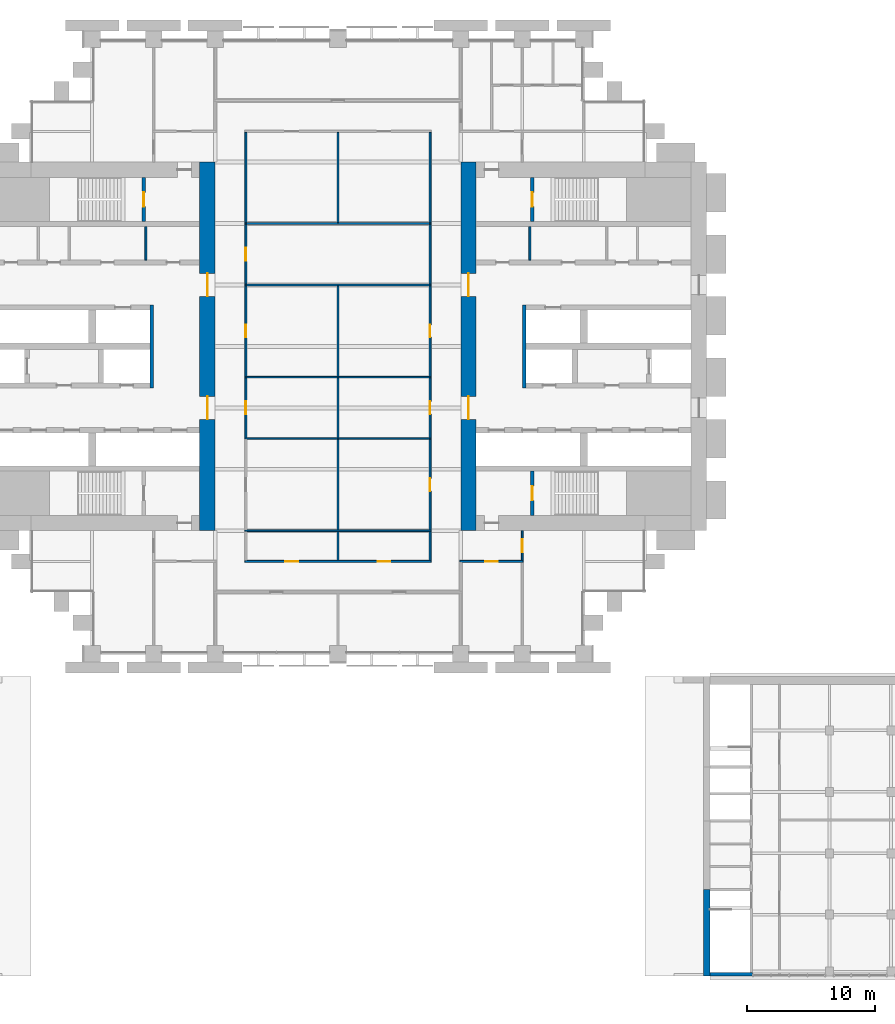
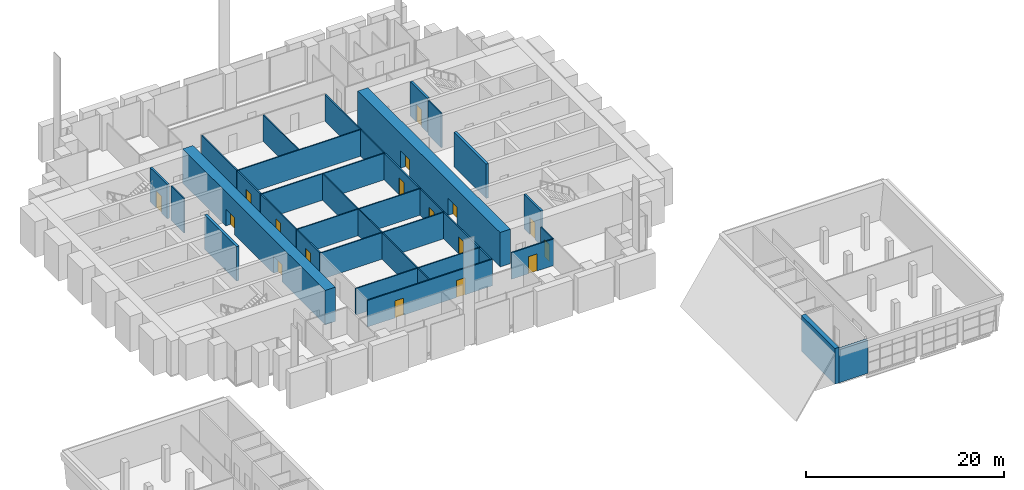
# One storey, part 18 of 22: 34 walls, 17 doors, 17 openings.
"""IFC4 building model written with IfcOpenShell, lengths in metres."""

from ifc_helpers import new_model, si_unit, direction, frame, frame_2d, origin, place, context, subcontext, project, spatial, rectangle, extrude, material, layer, layer_set, type_object, element, fill, save


model = new_model("IFC4")

# Units and contexts
model_context = context("Model", 3, precision=1e-05, world=origin(), true_north=direction((0.0, 1.0)))
body_context = subcontext(model_context, "Body", "Model", "MODEL_VIEW")
ifc_project = project(units=[si_unit("LENGTHUNIT", "METRE"), si_unit("AREAUNIT", "SQUARE_METRE"), si_unit("VOLUMEUNIT", "CUBIC_METRE"), si_unit("PLANEANGLEUNIT", "RADIAN"), si_unit("MASSUNIT", "GRAM", prefix="KILO")], contexts=[model_context])

# Site, building, storey
site_placement = place(None, origin())
site = spatial("IfcSite", under=ifc_project, at=site_placement, CompositionType="ELEMENT")
building_placement = place(site_placement, origin())
building = spatial("IfcBuilding", under=site, at=building_placement, Name="Baori Bourse Tower", CompositionType="ELEMENT")
storey_placement = place(building_placement, frame((0.0, 0.0, 25.800048828125)))
storey = spatial("IfcBuildingStorey", under=building, at=storey_placement, Name="L04", CompositionType="ELEMENT", Elevation=25.800048828125)

# Walls
ifc_material_1 = material(Name="Blockwork partition", Category="masonry")
ifc_layer_1 = layer(ifc_material_1, 0.14990234375)
ifc_layer_set_1 = layer_set([ifc_layer_1], Name="Core partition 150")
wall_type_1 = type_object("IfcWallType", Name="Core partition 150", PredefinedType="PARTITIONING", material=ifc_layer_set_1)
for number, where, z_axis, x_axis, name in (
    (1, (13.800048828125, 30.75, 0.0), (0.0, 0.0, 1.0), (0.0, 1.0, 0.0), "Partition wall W20"),
    (2, (43.800048828125, 30.75, 0.0), (0.0, 0.0, 1.0), (0.0, 1.0, 0.0), "Partition wall E20"),
):
    element("IfcWall", number, at=place(storey_placement, frame(where, z_axis=z_axis, x_axis=x_axis)), inside=storey, type_object=wall_type_1, Name=name, PredefinedType="PARTITIONING", context=body_context, shape_type="SweptSolid", body=[
        extrude(rectangle(XDim=2.60009765625, YDim=0.14990234375, at=frame_2d((1.300048828125, 0.0))), origin(), (0.0, 0.0, 1.0), 4.239990234375),
    ])

# Wall, openings, doors
ifc_material_2 = material(Name="Concrete f'c 70 MPa", Category="concrete")
ifc_layer_2 = layer(ifc_material_2, 1.199951171875)
ifc_layer_set_2 = layer_set([ifc_layer_2], Name="Core wall 1200 f'c 70")
wall_type_2 = type_object("IfcWallType", Name="Core wall 1200 f'c 70", PredefinedType="SHEAR", material=ifc_layer_set_2)
wall_1_placement = place(storey_placement, frame((18.60009765625, 38.39990234375, 0.0), z_axis=(0.0, 0.0, 1.0), x_axis=(0.0, -1.0, 0.0)))
wall_1 = element("IfcWall", 3, at=wall_1_placement, inside=storey, type_object=wall_type_2, Name="Core wall W04", PredefinedType="SHEAR", context=body_context, shape_type="SweptSolid", body=[
    extrude(rectangle(XDim=28.7998046875, YDim=1.199951171875, at=frame_2d((14.39990234375, 0.0))), origin(), (0.0, 0.0, 1.0), 4.239990234375),
])
opening_1_placement = place(wall_1_placement, frame((18.300048828125, 0.0, 0.0)))
opening_1 = element("IfcOpeningElement", 4, at=opening_1_placement, cuts=wall_1, Name="Opening L04-D107", PredefinedType="OPENING", context=body_context, shape_type="SweptSolid", body=[
    extrude(rectangle(XDim=1.800048828125, YDim=2.10009765625, at=frame_2d((0.89990234375, 1.050048828125))), frame((0.0, 0.60986328125, 0.0), z_axis=(0.0, -1.0, 0.0), x_axis=(1.0, 0.0, 0.0)), (0.0, 0.0, 1.0), 1.219970703125),
])
opening_2_placement = place(wall_1_placement, frame((8.699951171875, 0.0, 0.0)))
opening_2 = element("IfcOpeningElement", 5, at=opening_2_placement, cuts=wall_1, Name="Opening L04-D108", PredefinedType="OPENING", context=body_context, shape_type="SweptSolid", body=[
    extrude(rectangle(XDim=1.800048828125, YDim=2.10009765625, at=frame_2d((0.89990234375, 1.050048828125))), frame((0.0, 0.60986328125, 0.0), z_axis=(0.0, -1.0, 0.0), x_axis=(1.0, 0.0, 0.0)), (0.0, 0.0, 1.0), 1.219970703125),
])
ifc_material_3 = material(Name="Painted steel door", Category="steel")
door_type_1 = type_object("IfcDoorType", Name="Core lobby door 1800", OperationType="DOUBLE_DOOR_SINGLE_SWING", PredefinedType="DOOR", material=ifc_material_3)
door_1_placement = place(opening_1_placement, origin())
door_1 = element("IfcDoor", 6, at=door_1_placement, inside=storey, type_object=door_type_1, Name="Lobby door W L04", OperationType="DOUBLE_DOOR_SINGLE_SWING", OverallHeight=2.10009765625, OverallWidth=1.800048828125, PredefinedType="DOOR", context=body_context, shape_type="SweptSolid", body=[
    extrude(rectangle(XDim=1.800048828125, YDim=2.10009765625, at=frame_2d((0.89990234375, 1.050048828125))), frame((0.0, 0.02490234375, 0.0), z_axis=(0.0, -1.0, 0.0), x_axis=(1.0, 0.0, 0.0)), (0.0, 0.0, 1.0), 0.050048828125),
])
fill(opening_1, door_1)
door_2_placement = place(opening_2_placement, origin())
door_2 = element("IfcDoor", 7, at=door_2_placement, inside=storey, type_object=door_type_1, Name="Lobby door W L04", OperationType="DOUBLE_DOOR_SINGLE_SWING", OverallHeight=2.10009765625, OverallWidth=1.800048828125, PredefinedType="DOOR", context=body_context, shape_type="SweptSolid", body=[
    extrude(rectangle(XDim=1.800048828125, YDim=2.10009765625, at=frame_2d((0.89990234375, 1.050048828125))), frame((0.0, 0.02490234375, 0.0), z_axis=(0.0, -1.0, 0.0), x_axis=(1.0, 0.0, 0.0)), (0.0, 0.0, 1.0), 0.050048828125),
])
fill(opening_2, door_2)

wall_2_placement = place(storey_placement, frame((39.0, 9.60009765625, 0.0), z_axis=(0.0, 0.0, 1.0), x_axis=(0.0, 1.0, 0.0)))
wall_2 = element("IfcWall", 8, at=wall_2_placement, inside=storey, type_object=wall_type_2, Name="Core wall E04", PredefinedType="SHEAR", context=body_context, shape_type="SweptSolid", body=[
    extrude(rectangle(XDim=28.7998046875, YDim=1.199951171875, at=frame_2d((14.39990234375, 0.0))), origin(), (0.0, 0.0, 1.0), 4.239990234375),
])
opening_3_placement = place(wall_2_placement, frame((8.699951171875, 0.0, 0.0)))
opening_3 = element("IfcOpeningElement", 9, at=opening_3_placement, cuts=wall_2, Name="Opening L04-D207", PredefinedType="OPENING", context=body_context, shape_type="SweptSolid", body=[
    extrude(rectangle(XDim=1.800048828125, YDim=2.10009765625, at=frame_2d((0.89990234375, 1.050048828125))), frame((0.0, 0.60986328125, 0.0), z_axis=(0.0, -1.0, 0.0), x_axis=(1.0, 0.0, 0.0)), (0.0, 0.0, 1.0), 1.219970703125),
])
opening_4_placement = place(wall_2_placement, frame((18.300048828125, 0.0, 0.0)))
opening_4 = element("IfcOpeningElement", 10, at=opening_4_placement, cuts=wall_2, Name="Opening L04-D208", PredefinedType="OPENING", context=body_context, shape_type="SweptSolid", body=[
    extrude(rectangle(XDim=1.800048828125, YDim=2.10009765625, at=frame_2d((0.89990234375, 1.050048828125))), frame((0.0, 0.60986328125, 0.0), z_axis=(0.0, -1.0, 0.0), x_axis=(1.0, 0.0, 0.0)), (0.0, 0.0, 1.0), 1.219970703125),
])
door_3_placement = place(opening_3_placement, origin())
door_3 = element("IfcDoor", 11, at=door_3_placement, inside=storey, type_object=door_type_1, Name="Lobby door E L04", OperationType="DOUBLE_DOOR_SINGLE_SWING", OverallHeight=2.10009765625, OverallWidth=1.800048828125, PredefinedType="DOOR", context=body_context, shape_type="SweptSolid", body=[
    extrude(rectangle(XDim=1.800048828125, YDim=2.10009765625, at=frame_2d((0.89990234375, 1.050048828125))), frame((0.0, 0.02490234375, 0.0), z_axis=(0.0, -1.0, 0.0), x_axis=(1.0, 0.0, 0.0)), (0.0, 0.0, 1.0), 0.050048828125),
])
fill(opening_3, door_3)
door_4_placement = place(opening_4_placement, origin())
door_4 = element("IfcDoor", 12, at=door_4_placement, inside=storey, type_object=door_type_1, Name="Lobby door E L04", OperationType="DOUBLE_DOOR_SINGLE_SWING", OverallHeight=2.10009765625, OverallWidth=1.800048828125, PredefinedType="DOOR", context=body_context, shape_type="SweptSolid", body=[
    extrude(rectangle(XDim=1.800048828125, YDim=2.10009765625, at=frame_2d((0.89990234375, 1.050048828125))), frame((0.0, 0.02490234375, 0.0), z_axis=(0.0, -1.0, 0.0), x_axis=(1.0, 0.0, 0.0)), (0.0, 0.0, 1.0), 0.050048828125),
])
fill(opening_4, door_4)

ifc_material_4 = material(Name="Gypsum board partition")
ifc_layer_3 = layer(ifc_material_4, 0.14990234375)
ifc_layer_set_3 = layer_set([ifc_layer_3], Name="Corridor partition 150")
wall_type_3 = type_object("IfcWallType", Name="Corridor partition 150", PredefinedType="PARTITIONING", material=ifc_layer_set_3)
wall_3_placement = place(storey_placement, frame((21.52490234375, 7.199951171875, 0.0), z_axis=(0.0, 0.0, 1.0), x_axis=(1.0, 0.0, 0.0)))
wall_3 = element("IfcWall", 13, at=wall_3_placement, inside=storey, type_object=wall_type_3, Name="Partition", PredefinedType="PARTITIONING", context=body_context, shape_type="SweptSolid", body=[
    extrude(rectangle(XDim=14.550048828125, YDim=0.14990234375, at=frame_2d((7.27490234375, 0.0))), origin(), (0.0, 0.0, 1.0), 3.269775390625),
])
opening_5_placement = place(wall_3_placement, frame((3.175048828125, 0.0, 0.0)))
opening_5 = element("IfcOpeningElement", 14, at=opening_5_placement, cuts=wall_3, Name="Opening L04-D04", PredefinedType="OPENING", context=body_context, shape_type="SweptSolid", body=[
    extrude(rectangle(XDim=1.0, YDim=2.10009765625, at=frame_2d((0.5, 1.050048828125))), frame((0.0, 0.0849609375, 0.0), z_axis=(0.0, -1.0, 0.0), x_axis=(1.0, 0.0, 0.0)), (0.0, 0.0, 1.0), 0.169921875),
])
opening_6_placement = place(wall_3_placement, frame((10.375, 0.0, 0.0)))
opening_6 = element("IfcOpeningElement", 15, at=opening_6_placement, cuts=wall_3, Name="Opening L04-D05", PredefinedType="OPENING", context=body_context, shape_type="SweptSolid", body=[
    extrude(rectangle(XDim=1.0, YDim=2.10009765625, at=frame_2d((0.5, 1.050048828125))), frame((0.0, 0.0849609375, 0.0), z_axis=(0.0, -1.0, 0.0), x_axis=(1.0, 0.0, 0.0)), (0.0, 0.0, 1.0), 0.169921875),
])
ifc_material_5 = material(Name="Timber door leaf", Category="wood")
door_type_2 = type_object("IfcDoorType", Name="Door 1000 x 2100", OperationType="SINGLE_SWING_LEFT", PredefinedType="DOOR", material=ifc_material_5)
door_5_placement = place(opening_5_placement, origin())
door_5 = element("IfcDoor", 16, at=door_5_placement, inside=storey, type_object=door_type_2, Name="Door", OperationType="SINGLE_SWING_RIGHT", OverallHeight=2.10009765625, OverallWidth=1.0, PredefinedType="DOOR", context=body_context, shape_type="SweptSolid", body=[
    extrude(rectangle(XDim=1.0, YDim=2.10009765625, at=frame_2d((0.5, 1.050048828125))), frame((0.0, 0.02490234375, 0.0), z_axis=(0.0, -1.0, 0.0), x_axis=(1.0, 0.0, 0.0)), (0.0, 0.0, 1.0), 0.050048828125),
])
fill(opening_5, door_5)
door_6_placement = place(opening_6_placement, origin())
door_6 = element("IfcDoor", 17, at=door_6_placement, inside=storey, type_object=door_type_2, Name="Door", OperationType="SINGLE_SWING_LEFT", OverallHeight=2.10009765625, OverallWidth=1.0, PredefinedType="DOOR", context=body_context, shape_type="SweptSolid", body=[
    extrude(rectangle(XDim=1.0, YDim=2.10009765625, at=frame_2d((0.5, 1.050048828125))), frame((0.0, 0.02490234375, 0.0), z_axis=(0.0, -1.0, 0.0), x_axis=(1.0, 0.0, 0.0)), (0.0, 0.0, 1.0), 0.050048828125),
])
fill(opening_6, door_6)

# Wall, opening, door
wall_4_placement = place(storey_placement, frame((38.324951171875, 7.199951171875, 0.0), z_axis=(0.0, 0.0, 1.0), x_axis=(1.0, 0.0, 0.0)))
wall_4 = element("IfcWall", 18, at=wall_4_placement, inside=storey, type_object=wall_type_3, Name="Partition", PredefinedType="PARTITIONING", context=body_context, shape_type="SweptSolid", body=[
    extrude(rectangle(XDim=4.949951171875, YDim=0.14990234375, at=frame_2d((2.47509765625, 0.0))), origin(), (0.0, 0.0, 1.0), 3.269775390625),
])
opening_7_placement = place(wall_4_placement, frame((1.97509765625, 0.0, 0.0)))
opening_7 = element("IfcOpeningElement", 19, at=opening_7_placement, cuts=wall_4, Name="Opening L04-D06", PredefinedType="OPENING", context=body_context, shape_type="SweptSolid", body=[
    extrude(rectangle(XDim=1.0, YDim=2.10009765625, at=frame_2d((0.5, 1.050048828125))), frame((0.0, 0.0849609375, 0.0), z_axis=(0.0, -1.0, 0.0), x_axis=(1.0, 0.0, 0.0)), (0.0, 0.0, 1.0), 0.169921875),
])
door_7_placement = place(opening_7_placement, origin())
door_7 = element("IfcDoor", 20, at=door_7_placement, inside=storey, type_object=door_type_2, Name="Door", OperationType="SINGLE_SWING_LEFT", OverallHeight=2.10009765625, OverallWidth=1.0, PredefinedType="DOOR", context=body_context, shape_type="SweptSolid", body=[
    extrude(rectangle(XDim=1.0, YDim=2.10009765625, at=frame_2d((0.5, 1.050048828125))), frame((0.0, 0.02490234375, 0.0), z_axis=(0.0, -1.0, 0.0), x_axis=(1.0, 0.0, 0.0)), (0.0, 0.0, 1.0), 0.050048828125),
])
fill(opening_7, door_7)

wall_5_placement = place(storey_placement, frame((21.60009765625, 16.862548828125, 0.0), z_axis=(0.0, 0.0, 1.0), x_axis=(0.0, 1.0, 0.0)))
wall_5 = element("IfcWall", 21, at=wall_5_placement, inside=storey, type_object=wall_type_3, Name="Partition", PredefinedType="PARTITIONING", context=body_context, shape_type="SweptSolid", body=[
    extrude(rectangle(XDim=4.675048828125, YDim=0.14990234375, at=frame_2d((2.33740234375, 0.0))), origin(), (0.0, 0.0, 1.0), 3.269775390625),
])
opening_8_placement = place(wall_5_placement, frame((1.83740234375, 0.0, 0.0)))
opening_8 = element("IfcOpeningElement", 22, at=opening_8_placement, cuts=wall_5, Name="Opening L04-D18", PredefinedType="OPENING", context=body_context, shape_type="SweptSolid", body=[
    extrude(rectangle(XDim=1.0, YDim=2.10009765625, at=frame_2d((0.5, 1.050048828125))), frame((0.0, 0.0849609375, 0.0), z_axis=(0.0, -1.0, 0.0), x_axis=(1.0, 0.0, 0.0)), (0.0, 0.0, 1.0), 0.169921875),
])
door_8_placement = place(opening_8_placement, origin())
door_8 = element("IfcDoor", 23, at=door_8_placement, inside=storey, type_object=door_type_2, Name="Door", OperationType="SINGLE_SWING_LEFT", OverallHeight=2.10009765625, OverallWidth=1.0, PredefinedType="DOOR", context=body_context, shape_type="SweptSolid", body=[
    extrude(rectangle(XDim=1.0, YDim=2.10009765625, at=frame_2d((0.5, 1.050048828125))), frame((0.0, 0.02490234375, 0.0), z_axis=(0.0, -1.0, 0.0), x_axis=(1.0, 0.0, 0.0)), (0.0, 0.0, 1.0), 0.050048828125),
])
fill(opening_8, door_8)

wall_6_placement = place(storey_placement, frame((21.60009765625, 21.66259765625, 0.0), z_axis=(0.0, 0.0, 1.0), x_axis=(0.0, 1.0, 0.0)))
wall_6 = element("IfcWall", 24, at=wall_6_placement, inside=storey, type_object=wall_type_3, Name="Partition", PredefinedType="PARTITIONING", context=body_context, shape_type="SweptSolid", body=[
    extrude(rectangle(XDim=7.074951171875, YDim=0.14990234375, at=frame_2d((3.53759765625, 0.0))), origin(), (0.0, 0.0, 1.0), 3.269775390625),
])
opening_9_placement = place(wall_6_placement, frame((3.03759765625, 0.0, 0.0)))
opening_9 = element("IfcOpeningElement", 25, at=opening_9_placement, cuts=wall_6, Name="Opening L04-D19", PredefinedType="OPENING", context=body_context, shape_type="SweptSolid", body=[
    extrude(rectangle(XDim=1.0, YDim=2.10009765625, at=frame_2d((0.5, 1.050048828125))), frame((0.0, 0.0849609375, 0.0), z_axis=(0.0, -1.0, 0.0), x_axis=(1.0, 0.0, 0.0)), (0.0, 0.0, 1.0), 0.169921875),
])
door_9_placement = place(opening_9_placement, origin())
door_9 = element("IfcDoor", 26, at=door_9_placement, inside=storey, type_object=door_type_2, Name="Door", OperationType="SINGLE_SWING_LEFT", OverallHeight=2.10009765625, OverallWidth=1.0, PredefinedType="DOOR", context=body_context, shape_type="SweptSolid", body=[
    extrude(rectangle(XDim=1.0, YDim=2.10009765625, at=frame_2d((0.5, 1.050048828125))), frame((0.0, 0.02490234375, 0.0), z_axis=(0.0, -1.0, 0.0), x_axis=(1.0, 0.0, 0.0)), (0.0, 0.0, 1.0), 0.050048828125),
])
fill(opening_9, door_9)

wall_7_placement = place(storey_placement, frame((21.60009765625, 28.862548828125, 0.0), z_axis=(0.0, 0.0, 1.0), x_axis=(0.0, 1.0, 0.0)))
wall_7 = element("IfcWall", 27, at=wall_7_placement, inside=storey, type_object=wall_type_3, Name="Partition", PredefinedType="PARTITIONING", context=body_context, shape_type="SweptSolid", body=[
    extrude(rectangle(XDim=4.675048828125, YDim=0.14990234375, at=frame_2d((2.33740234375, 0.0))), origin(), (0.0, 0.0, 1.0), 3.269775390625),
])
opening_10_placement = place(wall_7_placement, frame((1.83740234375, 0.0, 0.0)))
opening_10 = element("IfcOpeningElement", 28, at=opening_10_placement, cuts=wall_7, Name="Opening L04-D20", PredefinedType="OPENING", context=body_context, shape_type="SweptSolid", body=[
    extrude(rectangle(XDim=1.0, YDim=2.10009765625, at=frame_2d((0.5, 1.050048828125))), frame((0.0, 0.0849609375, 0.0), z_axis=(0.0, -1.0, 0.0), x_axis=(1.0, 0.0, 0.0)), (0.0, 0.0, 1.0), 0.169921875),
])
door_10_placement = place(opening_10_placement, origin())
door_10 = element("IfcDoor", 29, at=door_10_placement, inside=storey, type_object=door_type_2, Name="Door", OperationType="SINGLE_SWING_LEFT", OverallHeight=2.10009765625, OverallWidth=1.0, PredefinedType="DOOR", context=body_context, shape_type="SweptSolid", body=[
    extrude(rectangle(XDim=1.0, YDim=2.10009765625, at=frame_2d((0.5, 1.050048828125))), frame((0.0, 0.02490234375, 0.0), z_axis=(0.0, -1.0, 0.0), x_axis=(1.0, 0.0, 0.0)), (0.0, 0.0, 1.0), 0.050048828125),
])
fill(opening_10, door_10)

# Walls
wall_8_placement = place(storey_placement, frame((21.60009765625, 33.66259765625, 0.0), z_axis=(0.0, 0.0, 1.0), x_axis=(0.0, 1.0, 0.0)))
element("IfcWall", 30, at=wall_8_placement, inside=storey, type_object=wall_type_3, Name="Partition", PredefinedType="PARTITIONING", context=body_context, shape_type="SweptSolid", body=[
    extrude(rectangle(XDim=7.0625, YDim=0.14990234375, at=frame_2d((3.53125, 0.0))), origin(), (0.0, 0.0, 1.0), 3.269775390625),
])
wall_9_placement = place(storey_placement, frame((36.0, 7.27490234375, 0.0), z_axis=(0.0, 0.0, 1.0), x_axis=(0.0, 1.0, 0.0)))
element("IfcWall", 31, at=wall_9_placement, inside=storey, type_object=wall_type_3, Name="Partition", PredefinedType="PARTITIONING", context=body_context, shape_type="SweptSolid", body=[
    extrude(rectangle(XDim=2.2626953125, YDim=0.14990234375, at=frame_2d((1.13134765625, 0.0))), origin(), (0.0, 0.0, 1.0), 3.269775390625),
])

# Wall, opening, door
wall_10_placement = place(storey_placement, frame((36.0, 9.66259765625, 0.0), z_axis=(0.0, 0.0, 1.0), x_axis=(0.0, 1.0, 0.0)))
wall_10 = element("IfcWall", 32, at=wall_10_placement, inside=storey, type_object=wall_type_3, Name="Partition", PredefinedType="PARTITIONING", context=body_context, shape_type="SweptSolid", body=[
    extrude(rectangle(XDim=7.074951171875, YDim=0.14990234375, at=frame_2d((3.53759765625, 0.0))), origin(), (0.0, 0.0, 1.0), 3.269775390625),
])
opening_11_placement = place(wall_10_placement, frame((3.03759765625, 0.0, 0.0)))
opening_11 = element("IfcOpeningElement", 33, at=opening_11_placement, cuts=wall_10, Name="Opening L04-D21", PredefinedType="OPENING", context=body_context, shape_type="SweptSolid", body=[
    extrude(rectangle(XDim=1.0, YDim=2.10009765625, at=frame_2d((0.5, 1.050048828125))), frame((0.0, 0.0849609375, 0.0), z_axis=(0.0, -1.0, 0.0), x_axis=(1.0, 0.0, 0.0)), (0.0, 0.0, 1.0), 0.169921875),
])
door_11_placement = place(opening_11_placement, origin())
door_11 = element("IfcDoor", 34, at=door_11_placement, inside=storey, type_object=door_type_2, Name="Door", OperationType="SINGLE_SWING_RIGHT", OverallHeight=2.10009765625, OverallWidth=1.0, PredefinedType="DOOR", context=body_context, shape_type="SweptSolid", body=[
    extrude(rectangle(XDim=1.0, YDim=2.10009765625, at=frame_2d((0.5, 1.050048828125))), frame((0.0, 0.02490234375, 0.0), z_axis=(0.0, -1.0, 0.0), x_axis=(1.0, 0.0, 0.0)), (0.0, 0.0, 1.0), 0.050048828125),
])
fill(opening_11, door_11)

wall_11_placement = place(storey_placement, frame((36.0, 16.862548828125, 0.0), z_axis=(0.0, 0.0, 1.0), x_axis=(0.0, 1.0, 0.0)))
wall_11 = element("IfcWall", 35, at=wall_11_placement, inside=storey, type_object=wall_type_3, Name="Partition", PredefinedType="PARTITIONING", context=body_context, shape_type="SweptSolid", body=[
    extrude(rectangle(XDim=4.675048828125, YDim=0.14990234375, at=frame_2d((2.33740234375, 0.0))), origin(), (0.0, 0.0, 1.0), 3.269775390625),
])
opening_12_placement = place(wall_11_placement, frame((1.83740234375, 0.0, 0.0)))
opening_12 = element("IfcOpeningElement", 36, at=opening_12_placement, cuts=wall_11, Name="Opening L04-D22", PredefinedType="OPENING", context=body_context, shape_type="SweptSolid", body=[
    extrude(rectangle(XDim=1.0, YDim=2.10009765625, at=frame_2d((0.5, 1.050048828125))), frame((0.0, 0.0849609375, 0.0), z_axis=(0.0, -1.0, 0.0), x_axis=(1.0, 0.0, 0.0)), (0.0, 0.0, 1.0), 0.169921875),
])
door_12_placement = place(opening_12_placement, origin())
door_12 = element("IfcDoor", 37, at=door_12_placement, inside=storey, type_object=door_type_2, Name="Door", OperationType="SINGLE_SWING_RIGHT", OverallHeight=2.10009765625, OverallWidth=1.0, PredefinedType="DOOR", context=body_context, shape_type="SweptSolid", body=[
    extrude(rectangle(XDim=1.0, YDim=2.10009765625, at=frame_2d((0.5, 1.050048828125))), frame((0.0, 0.02490234375, 0.0), z_axis=(0.0, -1.0, 0.0), x_axis=(1.0, 0.0, 0.0)), (0.0, 0.0, 1.0), 0.050048828125),
])
fill(opening_12, door_12)

wall_12_placement = place(storey_placement, frame((36.0, 21.66259765625, 0.0), z_axis=(0.0, 0.0, 1.0), x_axis=(0.0, 1.0, 0.0)))
wall_12 = element("IfcWall", 38, at=wall_12_placement, inside=storey, type_object=wall_type_3, Name="Partition", PredefinedType="PARTITIONING", context=body_context, shape_type="SweptSolid", body=[
    extrude(rectangle(XDim=7.074951171875, YDim=0.14990234375, at=frame_2d((3.53759765625, 0.0))), origin(), (0.0, 0.0, 1.0), 3.269775390625),
])
opening_13_placement = place(wall_12_placement, frame((3.03759765625, 0.0, 0.0)))
opening_13 = element("IfcOpeningElement", 39, at=opening_13_placement, cuts=wall_12, Name="Opening L04-D23", PredefinedType="OPENING", context=body_context, shape_type="SweptSolid", body=[
    extrude(rectangle(XDim=1.0, YDim=2.10009765625, at=frame_2d((0.5, 1.050048828125))), frame((0.0, 0.0849609375, 0.0), z_axis=(0.0, -1.0, 0.0), x_axis=(1.0, 0.0, 0.0)), (0.0, 0.0, 1.0), 0.169921875),
])
door_13_placement = place(opening_13_placement, origin())
door_13 = element("IfcDoor", 40, at=door_13_placement, inside=storey, type_object=door_type_2, Name="Door", OperationType="SINGLE_SWING_RIGHT", OverallHeight=2.10009765625, OverallWidth=1.0, PredefinedType="DOOR", context=body_context, shape_type="SweptSolid", body=[
    extrude(rectangle(XDim=1.0, YDim=2.10009765625, at=frame_2d((0.5, 1.050048828125))), frame((0.0, 0.02490234375, 0.0), z_axis=(0.0, -1.0, 0.0), x_axis=(1.0, 0.0, 0.0)), (0.0, 0.0, 1.0), 0.050048828125),
])
fill(opening_13, door_13)

# Walls
wall_13_placement = place(storey_placement, frame((36.0, 28.862548828125, 0.0), z_axis=(0.0, 0.0, 1.0), x_axis=(0.0, 1.0, 0.0)))
element("IfcWall", 41, at=wall_13_placement, inside=storey, type_object=wall_type_3, Name="Partition", PredefinedType="PARTITIONING", context=body_context, shape_type="SweptSolid", body=[
    extrude(rectangle(XDim=4.675048828125, YDim=0.14990234375, at=frame_2d((2.33740234375, 0.0))), origin(), (0.0, 0.0, 1.0), 3.269775390625),
])
wall_14_placement = place(storey_placement, frame((36.0, 33.66259765625, 0.0), z_axis=(0.0, 0.0, 1.0), x_axis=(0.0, 1.0, 0.0)))
element("IfcWall", 42, at=wall_14_placement, inside=storey, type_object=wall_type_3, Name="Partition", PredefinedType="PARTITIONING", context=body_context, shape_type="SweptSolid", body=[
    extrude(rectangle(XDim=7.0625, YDim=0.14990234375, at=frame_2d((3.53125, 0.0))), origin(), (0.0, 0.0, 1.0), 3.269775390625),
])

# Wall, opening, door
wall_15_placement = place(storey_placement, frame((43.199951171875, 7.27490234375, 0.0), z_axis=(0.0, 0.0, 1.0), x_axis=(0.0, 1.0, 0.0)))
wall_15 = element("IfcWall", 43, at=wall_15_placement, inside=storey, type_object=wall_type_3, Name="Partition", PredefinedType="PARTITIONING", context=body_context, shape_type="SweptSolid", body=[
    extrude(rectangle(XDim=2.3251953125, YDim=0.14990234375, at=frame_2d((1.16259765625, 0.0))), origin(), (0.0, 0.0, 1.0), 3.269775390625),
])
opening_14_placement = place(wall_15_placement, frame((0.66259765625, 0.0, 0.0)))
opening_14 = element("IfcOpeningElement", 44, at=opening_14_placement, cuts=wall_15, Name="Opening L04-D25", PredefinedType="OPENING", context=body_context, shape_type="SweptSolid", body=[
    extrude(rectangle(XDim=1.0, YDim=2.10009765625, at=frame_2d((0.5, 1.050048828125))), frame((0.0, 0.0849609375, 0.0), z_axis=(0.0, -1.0, 0.0), x_axis=(1.0, 0.0, 0.0)), (0.0, 0.0, 1.0), 0.169921875),
])
door_14_placement = place(opening_14_placement, origin())
door_14 = element("IfcDoor", 45, at=door_14_placement, inside=storey, type_object=door_type_2, Name="Door", OperationType="SINGLE_SWING_LEFT", OverallHeight=2.10009765625, OverallWidth=1.0, PredefinedType="DOOR", context=body_context, shape_type="SweptSolid", body=[
    extrude(rectangle(XDim=1.0, YDim=2.10009765625, at=frame_2d((0.5, 1.050048828125))), frame((0.0, 0.02490234375, 0.0), z_axis=(0.0, -1.0, 0.0), x_axis=(1.0, 0.0, 0.0)), (0.0, 0.0, 1.0), 0.050048828125),
])
fill(opening_14, door_14)

# Walls
ifc_material_6 = material(Name="Concrete f'c 50 MPa", Category="concrete")
ifc_layer_4 = layer(ifc_material_6, 0.300048828125)
ifc_layer_set_4 = layer_set([ifc_layer_4], Name="Entrance wall 300")
wall_type_4 = type_object("IfcWallType", Name="Entrance wall 300", PredefinedType="SOLIDWALL", material=ifc_layer_set_4)
wall_16_placement = place(storey_placement, frame((61.199951171875, -25.050048828125, 0.0), z_axis=(0.0, 0.0, 1.0), x_axis=(-1.0, 0.0, 0.0)))
element("IfcWall", 46, at=wall_16_placement, inside=storey, type_object=wall_type_4, Name="wing/L04/Esouthwall/001", PredefinedType="SOLIDWALL", context=body_context, shape_type="SweptSolid", body=[
    extrude(rectangle(XDim=3.349853515625, YDim=0.300048828125, at=frame_2d((1.6748046875, 0.0))), origin(), (0.0, 0.0, 1.0), 4.1015625),
])
ifc_material_7 = material(Name="Concrete f'c 50 MPa", Category="concrete")
ifc_layer_5 = layer(ifc_material_7, 0.5)
ifc_layer_set_5 = layer_set([ifc_layer_5], Name="Hall end wall 500")
wall_type_5 = type_object("IfcWallType", Name="Hall end wall 500", PredefinedType="SOLIDWALL", material=ifc_layer_set_5)
wall_17_placement = place(storey_placement, frame((57.60009765625, -18.43994140625, 0.0), z_axis=(0.0, 0.0, 1.0), x_axis=(0.0, -1.0, 0.0)))
element("IfcWall", 47, at=wall_17_placement, inside=storey, type_object=wall_type_5, Name="wing/L04/Ehallwall/004", PredefinedType="SOLIDWALL", context=body_context, shape_type="SweptSolid", body=[
    extrude(rectangle(XDim=6.760009765625, YDim=0.5, at=frame_2d((3.3798828125, 0.0))), origin(), (0.0, 0.0, 1.0), 4.39990234375),
])
ifc_material_8 = material(Name="Gypsum board partition")
ifc_layer_6 = layer(ifc_material_8, 0.125)
ifc_layer_set_6 = layer_set([ifc_layer_6], Name="Partition 125")
wall_type_6 = type_object("IfcWallType", Name="Partition 125", PredefinedType="PARTITIONING", material=ifc_layer_set_6)
for number, where, z_axis, x_axis, name in (
    (48, (21.52490234375, 9.60009765625, 0.0), (0.0, 0.0, 1.0), (1.0, 0.0, 0.0), "Partition"),
    (49, (21.52490234375, 16.800048828125, 0.0), (0.0, 0.0, 1.0), (1.0, 0.0, 0.0), "Partition"),
    (50, (21.52490234375, 21.60009765625, 0.0), (0.0, 0.0, 1.0), (1.0, 0.0, 0.0), "Partition"),
    (51, (21.52490234375, 28.800048828125, 0.0), (0.0, 0.0, 1.0), (1.0, 0.0, 0.0), "Partition"),
    (52, (21.52490234375, 33.60009765625, 0.0), (0.0, 0.0, 1.0), (1.0, 0.0, 0.0), "Partition"),
):
    element("IfcWall", number, at=place(storey_placement, frame(where, z_axis=z_axis, x_axis=x_axis)), inside=storey, type_object=wall_type_6, Name=name, PredefinedType="PARTITIONING", context=body_context, shape_type="SweptSolid", body=[
        extrude(rectangle(XDim=14.550048828125, YDim=0.125, at=frame_2d((7.27490234375, 0.0))), origin(), (0.0, 0.0, 1.0), 3.269775390625),
    ])
wall_18_placement = place(storey_placement, frame((28.800048828125, 7.27490234375, 0.0), z_axis=(0.0, 0.0, 1.0), x_axis=(0.0, 1.0, 0.0)))
element("IfcWall", 53, at=wall_18_placement, inside=storey, type_object=wall_type_6, Name="Partition", PredefinedType="PARTITIONING", context=body_context, shape_type="SweptSolid", body=[
    extrude(rectangle(XDim=2.2626953125, YDim=0.125, at=frame_2d((1.13134765625, 0.0))), origin(), (0.0, 0.0, 1.0), 3.269775390625),
])
wall_19_placement = place(storey_placement, frame((28.800048828125, 9.66259765625, 0.0), z_axis=(0.0, 0.0, 1.0), x_axis=(0.0, 1.0, 0.0)))
element("IfcWall", 54, at=wall_19_placement, inside=storey, type_object=wall_type_6, Name="Partition", PredefinedType="PARTITIONING", context=body_context, shape_type="SweptSolid", body=[
    extrude(rectangle(XDim=7.074951171875, YDim=0.125, at=frame_2d((3.53759765625, 0.0))), origin(), (0.0, 0.0, 1.0), 3.269775390625),
])
wall_20_placement = place(storey_placement, frame((28.800048828125, 16.862548828125, 0.0), z_axis=(0.0, 0.0, 1.0), x_axis=(0.0, 1.0, 0.0)))
element("IfcWall", 55, at=wall_20_placement, inside=storey, type_object=wall_type_6, Name="Partition", PredefinedType="PARTITIONING", context=body_context, shape_type="SweptSolid", body=[
    extrude(rectangle(XDim=4.675048828125, YDim=0.125, at=frame_2d((2.33740234375, 0.0))), origin(), (0.0, 0.0, 1.0), 3.269775390625),
])
wall_21_placement = place(storey_placement, frame((28.800048828125, 21.66259765625, 0.0), z_axis=(0.0, 0.0, 1.0), x_axis=(0.0, 1.0, 0.0)))
element("IfcWall", 56, at=wall_21_placement, inside=storey, type_object=wall_type_6, Name="Partition", PredefinedType="PARTITIONING", context=body_context, shape_type="SweptSolid", body=[
    extrude(rectangle(XDim=7.074951171875, YDim=0.125, at=frame_2d((3.53759765625, 0.0))), origin(), (0.0, 0.0, 1.0), 3.269775390625),
])
wall_22_placement = place(storey_placement, frame((28.800048828125, 33.66259765625, 0.0), z_axis=(0.0, 0.0, 1.0), x_axis=(0.0, 1.0, 0.0)))
element("IfcWall", 57, at=wall_22_placement, inside=storey, type_object=wall_type_6, Name="Partition", PredefinedType="PARTITIONING", context=body_context, shape_type="SweptSolid", body=[
    extrude(rectangle(XDim=7.0625, YDim=0.125, at=frame_2d((3.53125, 0.0))), origin(), (0.0, 0.0, 1.0), 3.269775390625),
])

# Wall, opening, door
ifc_material_9 = material(Name="Concrete f'c 70 MPa", Category="concrete")
ifc_layer_7 = layer(ifc_material_9, 0.25)
ifc_layer_set_7 = layer_set([ifc_layer_7], Name="Shaft wall 250 f'c 70")
wall_type_7 = type_object("IfcWallType", Name="Shaft wall 250 f'c 70", PredefinedType="SHEAR", material=ifc_layer_set_7)
wall_23_placement = place(storey_placement, frame((13.625, 33.75, 0.0), z_axis=(0.0, 0.0, 1.0), x_axis=(0.0, 1.0, 0.0)))
wall_23 = element("IfcWall", 58, at=wall_23_placement, inside=storey, type_object=wall_type_7, Name="Core wall W23", PredefinedType="SHEAR", context=body_context, shape_type="SweptSolid", body=[
    extrude(rectangle(XDim=3.449951171875, YDim=0.25, at=frame_2d((1.72509765625, 0.0))), origin(), (0.0, 0.0, 1.0), 4.239990234375),
])
opening_15_placement = place(wall_23_placement, frame((1.175048828125, 0.0, 0.0)))
opening_15 = element("IfcOpeningElement", 59, at=opening_15_placement, cuts=wall_23, Name="Opening L04-D103", PredefinedType="OPENING", context=body_context, shape_type="SweptSolid", body=[
    extrude(rectangle(XDim=1.10009765625, YDim=2.10009765625, at=frame_2d((0.550048828125, 1.050048828125))), frame((0.0, 0.135009765625, 0.0), z_axis=(0.0, -1.0, 0.0), x_axis=(1.0, 0.0, 0.0)), (0.0, 0.0, 1.0), 0.27001953125),
])
ifc_material_10 = material(Name="Painted steel door", Category="steel")
door_type_3 = type_object("IfcDoorType", Name="Stair door 1100", OperationType="SINGLE_SWING_LEFT", PredefinedType="DOOR", material=ifc_material_10)
door_15_placement = place(opening_15_placement, origin())
door_15 = element("IfcDoor", 60, at=door_15_placement, inside=storey, type_object=door_type_3, Name="Stair door B W L04", OperationType="SINGLE_SWING_LEFT", OverallHeight=2.10009765625, OverallWidth=1.10009765625, PredefinedType="DOOR", context=body_context, shape_type="SweptSolid", body=[
    extrude(rectangle(XDim=1.10009765625, YDim=2.10009765625, at=frame_2d((0.550048828125, 1.050048828125))), frame((0.0, 0.02490234375, 0.0), z_axis=(0.0, -1.0, 0.0), x_axis=(1.0, 0.0, 0.0)), (0.0, 0.0, 1.0), 0.050048828125),
])
fill(opening_15, door_15)

wall_24_placement = place(storey_placement, frame((43.97509765625, 10.800048828125, 0.0), z_axis=(0.0, 0.0, 1.0), x_axis=(0.0, 1.0, 0.0)))
wall_24 = element("IfcWall", 61, at=wall_24_placement, inside=storey, type_object=wall_type_7, Name="Core wall E06", PredefinedType="SHEAR", context=body_context, shape_type="SweptSolid", body=[
    extrude(rectangle(XDim=3.449951171875, YDim=0.25, at=frame_2d((1.72509765625, 0.0))), origin(), (0.0, 0.0, 1.0), 4.239990234375),
])
opening_16_placement = place(wall_24_placement, frame((1.175048828125, 0.0, 0.0)))
opening_16 = element("IfcOpeningElement", 62, at=opening_16_placement, cuts=wall_24, Name="Opening L04-D201", PredefinedType="OPENING", context=body_context, shape_type="SweptSolid", body=[
    extrude(rectangle(XDim=1.10009765625, YDim=2.10009765625, at=frame_2d((0.550048828125, 1.050048828125))), frame((0.0, 0.135009765625, 0.0), z_axis=(0.0, -1.0, 0.0), x_axis=(1.0, 0.0, 0.0)), (0.0, 0.0, 1.0), 0.27001953125),
])
door_16_placement = place(opening_16_placement, origin())
door_16 = element("IfcDoor", 63, at=door_16_placement, inside=storey, type_object=door_type_3, Name="Stair door A E L04", OperationType="SINGLE_SWING_LEFT", OverallHeight=2.10009765625, OverallWidth=1.10009765625, PredefinedType="DOOR", context=body_context, shape_type="SweptSolid", body=[
    extrude(rectangle(XDim=1.10009765625, YDim=2.10009765625, at=frame_2d((0.550048828125, 1.050048828125))), frame((0.0, 0.02490234375, 0.0), z_axis=(0.0, -1.0, 0.0), x_axis=(1.0, 0.0, 0.0)), (0.0, 0.0, 1.0), 0.050048828125),
])
fill(opening_16, door_16)

wall_25_placement = place(storey_placement, frame((43.97509765625, 33.75, 0.0), z_axis=(0.0, 0.0, 1.0), x_axis=(0.0, 1.0, 0.0)))
wall_25 = element("IfcWall", 64, at=wall_25_placement, inside=storey, type_object=wall_type_7, Name="Core wall E23", PredefinedType="SHEAR", context=body_context, shape_type="SweptSolid", body=[
    extrude(rectangle(XDim=3.449951171875, YDim=0.25, at=frame_2d((1.72509765625, 0.0))), origin(), (0.0, 0.0, 1.0), 4.239990234375),
])
opening_17_placement = place(wall_25_placement, frame((1.175048828125, 0.0, 0.0)))
opening_17 = element("IfcOpeningElement", 65, at=opening_17_placement, cuts=wall_25, Name="Opening L04-D203", PredefinedType="OPENING", context=body_context, shape_type="SweptSolid", body=[
    extrude(rectangle(XDim=1.10009765625, YDim=2.10009765625, at=frame_2d((0.550048828125, 1.050048828125))), frame((0.0, 0.135009765625, 0.0), z_axis=(0.0, -1.0, 0.0), x_axis=(1.0, 0.0, 0.0)), (0.0, 0.0, 1.0), 0.27001953125),
])
door_17_placement = place(opening_17_placement, origin())
door_17 = element("IfcDoor", 66, at=door_17_placement, inside=storey, type_object=door_type_3, Name="Stair door B E L04", OperationType="SINGLE_SWING_LEFT", OverallHeight=2.10009765625, OverallWidth=1.10009765625, PredefinedType="DOOR", context=body_context, shape_type="SweptSolid", body=[
    extrude(rectangle(XDim=1.10009765625, YDim=2.10009765625, at=frame_2d((0.550048828125, 1.050048828125))), frame((0.0, 0.02490234375, 0.0), z_axis=(0.0, -1.0, 0.0), x_axis=(1.0, 0.0, 0.0)), (0.0, 0.0, 1.0), 0.050048828125),
])
fill(opening_17, door_17)

# Walls
ifc_material_11 = material(Name="Concrete f'c 70 MPa", Category="concrete")
ifc_layer_8 = layer(ifc_material_11, 0.300048828125)
ifc_layer_set_8 = layer_set([ifc_layer_8], Name="Shaft wall 300 f'c 70")
wall_type_8 = type_object("IfcWallType", Name="Shaft wall 300 f'c 70", PredefinedType="SHEAR", material=ifc_layer_set_8)
for number, where, z_axis, x_axis, name in (
    (67, (14.25, 20.75, 0.0), (0.0, 0.0, 1.0), (0.0, 1.0, 0.0), "Core wall W11"),
    (68, (43.35009765625, 20.75, 0.0), (0.0, 0.0, 1.0), (0.0, 1.0, 0.0), "Core wall E11"),
):
    element("IfcWall", number, at=place(storey_placement, frame(where, z_axis=z_axis, x_axis=x_axis)), inside=storey, type_object=wall_type_8, Name=name, PredefinedType="SHEAR", context=body_context, shape_type="SweptSolid", body=[
        extrude(rectangle(XDim=6.5, YDim=0.300048828125, at=frame_2d((3.25, 0.0))), origin(), (0.0, 0.0, 1.0), 4.239990234375),
    ])

save(model, "model.ifc")
